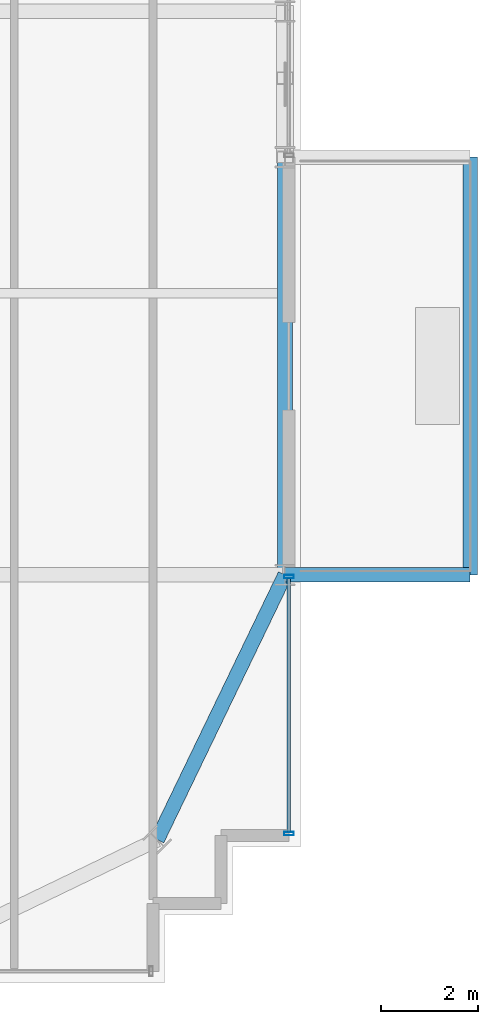
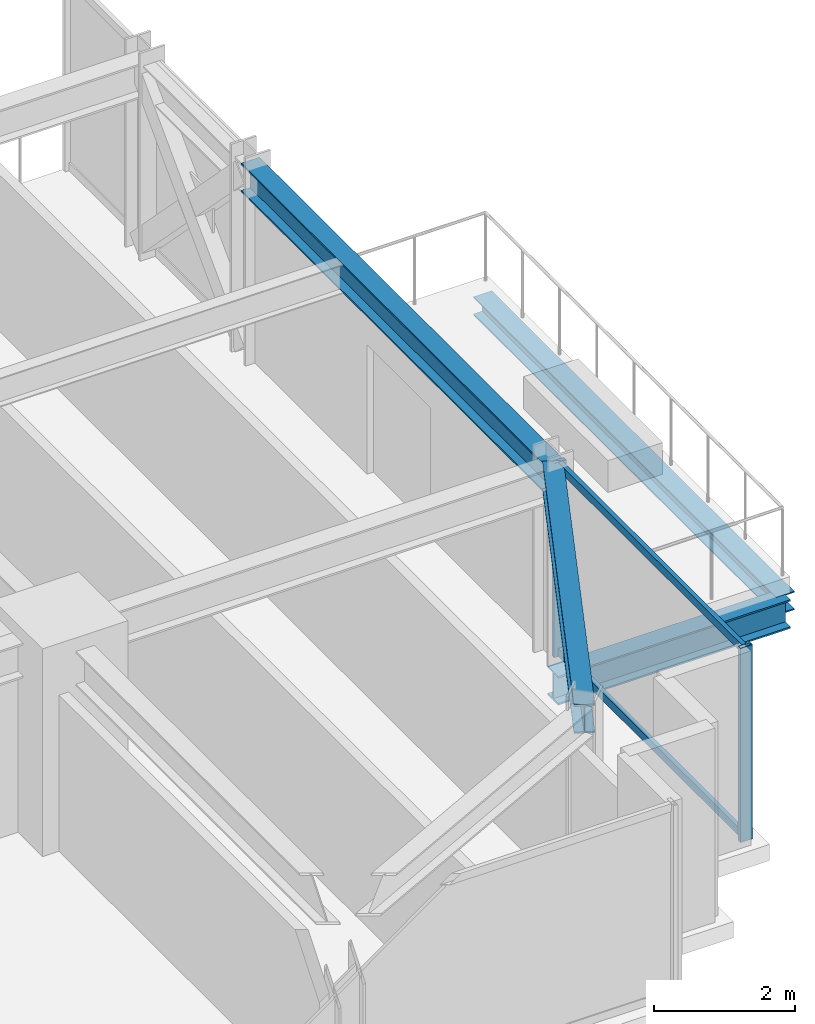
# One storey, part 17 of 41: 4 beams, 4 members, 1 element without a shape of its own.
"""IFC4 building model written with IfcOpenShell, lengths in metres."""

from ifc_helpers import new_model, si_unit, direction, frame, origin, origin_2d, place, context, subcontext, project, spatial, hollow_rectangle, i_section, extrude, source, transform, mapped, material, material_profile, profile_set, type_object, element, aggregate, save


model = new_model("IFC4")

# Units and contexts
model_context = context("Model", 3, precision=1e-05, world=origin(), true_north=direction((0.0, 1.0)))
body_context = subcontext(model_context, "Body", "Model", "MODEL_VIEW")
ifc_project = project(units=[si_unit("LENGTHUNIT", "METRE"), si_unit("AREAUNIT", "SQUARE_METRE"), si_unit("VOLUMEUNIT", "CUBIC_METRE"), si_unit("PLANEANGLEUNIT", "RADIAN"), si_unit("MASSUNIT", "GRAM", prefix="KILO")], contexts=[model_context])

# Site, building, storey
site_placement = place(None, origin())
site = spatial("IfcSite", under=ifc_project, at=site_placement, CompositionType="ELEMENT")
building_placement = place(site_placement, origin())
building = spatial("IfcBuilding", under=site, at=building_placement, Name="Nahalor Promenade Grand Hotel", CompositionType="ELEMENT")
storey_placement = place(building_placement, frame((0.0, 0.0, 54.300048828125)))
storey = spatial("IfcBuildingStorey", under=building, at=storey_placement, Name="L12", CompositionType="ELEMENT", Elevation=54.300048828125)

# Beams
ifc_material_1 = material(Name="Steel S355JR", Category="steel")
ifc_material_profile_1 = material_profile(ifc_material_1, i_section(OverallWidth=0.3, OverallDepth=0.32, WebThickness=0.0115, FlangeThickness=0.0205, at=origin_2d()), Name="HEB 320")
ifc_profile_set_1 = profile_set([ifc_material_profile_1], Name="Steel S355JR")
beam_type_1 = type_object("IfcBeamType", Name="Beam-BalcEdge-HEB320", PredefinedType="SPANDREL", material=ifc_profile_set_1)
shared_shape_1 = source(origin(), body_context, "Body", "SweptSolid", [
    extrude(i_section(OverallWidth=0.3, OverallDepth=0.32, WebThickness=0.0115, FlangeThickness=0.0205, at=origin_2d()), origin(), (0.0, 0.0, 1.0), 8.60009765625),
])
beam_1_placement = place(storey_placement, frame((28.889892578125, -17.0, -0.43994140625), z_axis=(0.0, 1.0, 0.0), x_axis=(-1.0, 0.0, 0.0)))
element("IfcBeam", 1, at=beam_1_placement, inside=storey, type_object=beam_type_1, Name="BM-L12-BC-02-F", PredefinedType="SPANDREL", context=body_context, shape_type="MappedRepresentation", body=[
    mapped(shared_shape_1, transform((0.0, 0.0, 0.0), scale=1.0)),
])
ifc_material_profile_2 = material_profile(ifc_material_1, i_section(OverallWidth=0.3, OverallDepth=0.5, WebThickness=0.0145, FlangeThickness=0.028, at=origin_2d()), Name="HEB 500")
ifc_profile_set_2 = profile_set([ifc_material_profile_2], Name="Steel S355JR")
beam_type_2 = type_object("IfcBeamType", Name="Beam-Outrigger-HEB500", PredefinedType="BEAM", material=ifc_profile_set_2)
shared_shape_2 = source(origin(), body_context, "Body", "SweptSolid", [
    extrude(i_section(OverallWidth=0.3, OverallDepth=0.5, WebThickness=0.0145, FlangeThickness=0.028, at=origin_2d()), origin(), (0.0, 0.0, 1.0), 3.809814453125),
])
beam_2_placement = place(storey_placement, frame((25.080078125, -17.0, -0.530029296875), z_axis=(1.0, 0.0, 0.0), x_axis=(0.0, 1.0, 0.0)))
element("IfcBeam", 2, at=beam_2_placement, inside=storey, type_object=beam_type_2, Name="BM-L12-BC-02-1", PredefinedType="BEAM", context=body_context, shape_type="MappedRepresentation", body=[
    mapped(shared_shape_2, transform((0.0, 0.0, 0.0), scale=1.0)),
])
ifc_material_profile_3 = material_profile(ifc_material_1, i_section(OverallWidth=0.3, OverallDepth=0.5, WebThickness=0.0145, FlangeThickness=0.028, at=origin_2d()), Name="HEB 500")
ifc_profile_set_3 = profile_set([ifc_material_profile_3], Name="Steel S355JR")
beam_type_3 = type_object("IfcBeamType", Name="Beam-Spandrel-HEB500", PredefinedType="SPANDREL", material=ifc_profile_set_3)
shared_shape_3 = source(origin(), body_context, "Body", "SweptSolid", [
    extrude(i_section(OverallWidth=0.3, OverallDepth=0.5, WebThickness=0.0145, FlangeThickness=0.028, at=origin_2d()), origin(), (0.0, 0.0, 1.0), 8.60009765625),
])
beam_3_placement = place(storey_placement, frame((25.080078125, -17.0, 3.119873046875), z_axis=(0.0, 1.0, 0.0), x_axis=(-1.0, 0.0, 0.0)))
element("IfcBeam", 3, at=beam_3_placement, inside=storey, type_object=beam_type_3, Name="BM-L12-SP-E-0", PredefinedType="SPANDREL", context=body_context, shape_type="MappedRepresentation", body=[
    mapped(shared_shape_3, transform((0.0, 0.0, 0.0), scale=1.0)),
])
shared_shape_4 = source(origin(), body_context, "Body", "SweptSolid", [
    extrude(i_section(OverallWidth=0.3, OverallDepth=0.5, WebThickness=0.0145, FlangeThickness=0.028, at=origin_2d()), origin(), (0.0, 0.0, 1.0), 6.051513671875),
])
beam_4_placement = place(storey_placement, frame((22.449951171875, -22.449951171875, 3.119873046875), z_axis=(0.434630596492, 0.900608818852, 0.0), x_axis=(-0.900608818852, 0.434630596492, 0.0)))
element("IfcBeam", 4, at=beam_4_placement, inside=storey, type_object=beam_type_3, Name="BM-L12-SPC-SE-2", PredefinedType="SPANDREL", context=body_context, shape_type="MappedRepresentation", body=[
    mapped(shared_shape_4, transform((0.0, 0.0, 0.0), scale=1.0)),
])

# Curtain wall, members
ifc_material_2 = material(Name="Anodised Bronze Aluminium EN AW-6063 T6", Category="aluminium")
curtain_wall_type = type_object("IfcCurtainWallType", Name="CW3 Elliptical-Void Collar Unitised Curtain Wall", PredefinedType="USERDEFINED", material=ifc_material_2)
curtain_wall_placement = place(storey_placement, origin())
curtain_wall = element("IfcCurtainWall", 5, at=curtain_wall_placement, inside=storey, type_object=curtain_wall_type, Name="L12 Curtain Wall CW-L12-E-1", ObjectType="UNITISED_CURTAIN_WALL", PredefinedType="USERDEFINED")
ifc_material_profile_4 = material_profile(ifc_material_2, hollow_rectangle(XDim=0.07, YDim=0.2, WallThickness=0.005, at=origin_2d()), Name="CWM 70x200x5")
ifc_profile_set_4 = profile_set([ifc_material_profile_4], Name="Anodised Bronze Aluminium EN AW-6063 T6")
member_type_1 = type_object("IfcMemberType", Name="CWM3 Void Collar Mullion 70x200", PredefinedType="MULLION", material=ifc_profile_set_4)
shared_shape_5 = source(origin(), body_context, "Body", "SweptSolid", [
    extrude(hollow_rectangle(XDim=0.07, YDim=0.2, WallThickness=0.005, at=origin_2d()), origin(), (0.0, 0.0, 1.0), 3.369873046875),
])
member_1_placement = place(storey_placement, frame((25.159912109375, -22.324951171875, 0.0), z_axis=(0.0, 0.0, 1.0), x_axis=(0.0, 1.0, 0.0)))
member_1 = element("IfcMember", 6, at=member_1_placement, type_object=member_type_1, Name="CW-L12-E-1 Mullion 0", PredefinedType="MULLION", context=body_context, shape_type="MappedRepresentation", body=[
    mapped(shared_shape_5, transform((0.0, 0.0, 0.0), scale=1.0)),
])
member_2_placement = place(storey_placement, frame((25.159912109375, -17.034912109375, 0.0), z_axis=(0.0, 0.0, 1.0), x_axis=(0.0, 1.0, 0.0)))
member_2 = element("IfcMember", 7, at=member_2_placement, type_object=member_type_1, Name="CW-L12-E-1 Mullion 1", PredefinedType="MULLION", context=body_context, shape_type="MappedRepresentation", body=[
    mapped(shared_shape_5, transform((0.0, 0.0, 0.0), scale=1.0)),
])
ifc_material_profile_5 = material_profile(ifc_material_2, hollow_rectangle(XDim=0.07, YDim=0.14, WallThickness=0.004, at=origin_2d()), Name="CWT 70x140x4")
ifc_profile_set_5 = profile_set([ifc_material_profile_5], Name="Anodised Bronze Aluminium EN AW-6063 T6")
member_type_2 = type_object("IfcMemberType", Name="CWT3 Void Collar Transom 70x140", PredefinedType="USERDEFINED", material=ifc_profile_set_5)
shared_shape_6 = source(origin(), body_context, "Body", "SweptSolid", [
    extrude(hollow_rectangle(XDim=0.07, YDim=0.14, WallThickness=0.004, at=origin_2d()), origin(), (0.0, 0.0, 1.0), 5.219970703125),
])
member_3_placement = place(storey_placement, frame((25.159912109375, -22.2900390625, 0.070068359375), z_axis=(0.0, 1.0, 0.0), x_axis=(-1.0, 0.0, 0.0)))
member_3 = element("IfcMember", 8, at=member_3_placement, type_object=member_type_2, Name="CW-L12-E-1 Transom 0-0", ObjectType="TRANSOM", PredefinedType="USERDEFINED", context=body_context, shape_type="MappedRepresentation", body=[
    mapped(shared_shape_6, transform((0.0, 0.0, 0.0), scale=1.0)),
])
member_4_placement = place(storey_placement, frame((25.159912109375, -22.2900390625, 3.300048828125), z_axis=(0.0, 1.0, 0.0), x_axis=(-1.0, 0.0, 0.0)))
member_4 = element("IfcMember", 9, at=member_4_placement, type_object=member_type_2, Name="CW-L12-E-1 Transom 0-1", ObjectType="TRANSOM", PredefinedType="USERDEFINED", context=body_context, shape_type="MappedRepresentation", body=[
    mapped(shared_shape_6, transform((0.0, 0.0, 0.0), scale=1.0)),
])
aggregate(curtain_wall, [member_1, member_2, member_3, member_4])

save(model, "model.ifc")
